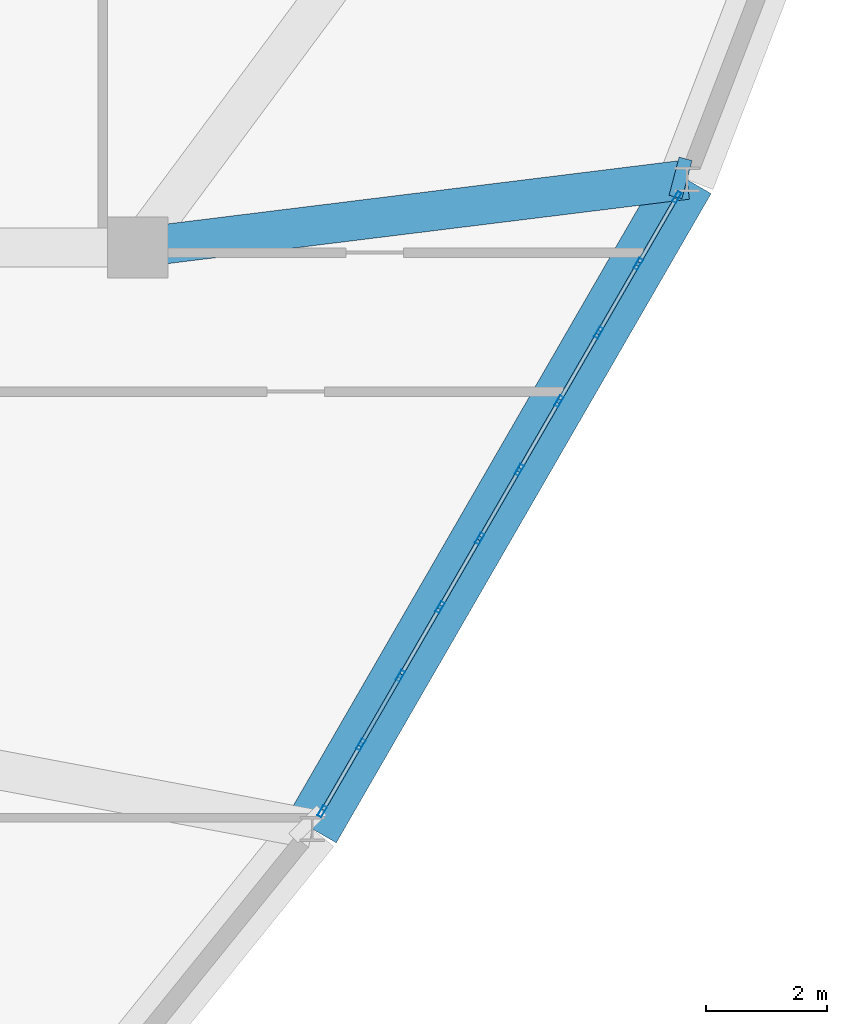
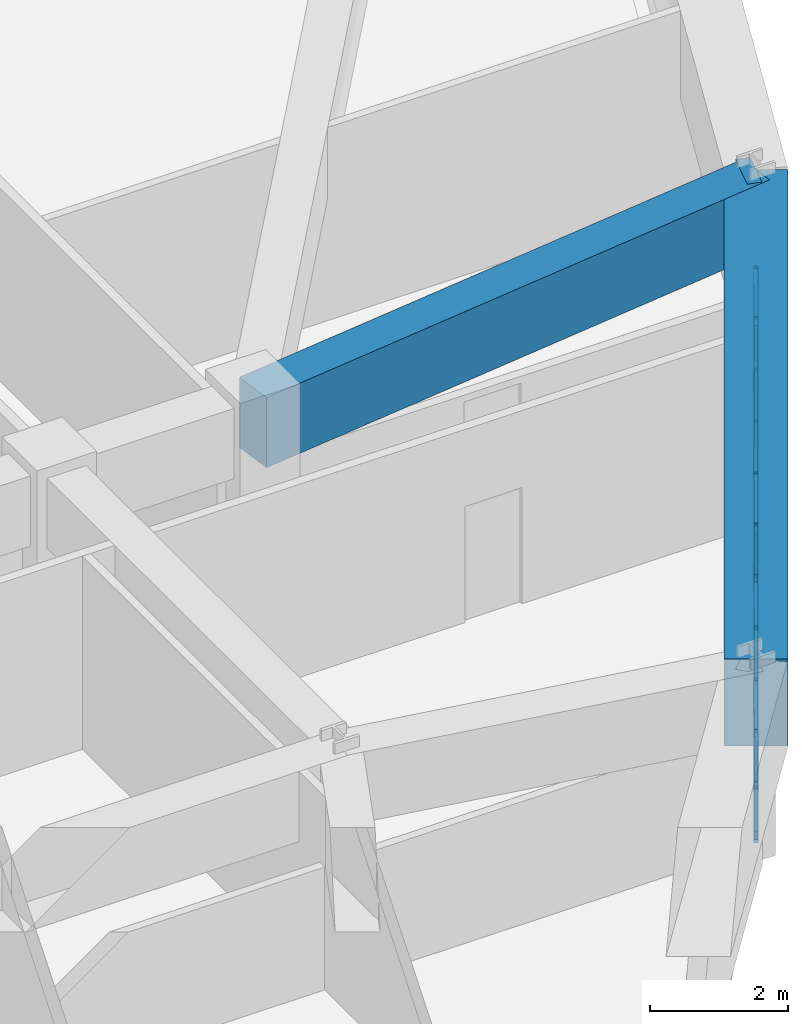
# One storey, part 6 of 16: 31 members, 3 beams, 1 element without a shape of its own.
"""IFC4 building model written with IfcOpenShell, lengths in metres."""

from ifc_helpers import new_model, si_unit, derived_unit, direction, frame, origin, origin_2d, place, context, subcontext, project, spatial, rectangle, hollow_rectangle, extrude, source, transform, mapped, material, layer, layer_set, material_profile, profile_set, type_object, element, aggregate, save


model = new_model("IFC4")

# Units and contexts
model_context = context("Model", 3, precision=1e-05, world=origin(), true_north=direction((0.0, 1.0)))
body_context = subcontext(model_context, "Body", "Model", "MODEL_VIEW")
ifc_project = project(units=[si_unit("LENGTHUNIT", "METRE"), si_unit("AREAUNIT", "SQUARE_METRE"), si_unit("VOLUMEUNIT", "CUBIC_METRE"), si_unit("PLANEANGLEUNIT", "RADIAN"), si_unit("MASSUNIT", "GRAM", prefix="KILO"), derived_unit("THERMALTRANSMITTANCEUNIT", [(si_unit("POWERUNIT", "WATT"), 1), (si_unit("LENGTHUNIT", "METRE"), -2), (si_unit("THERMODYNAMICTEMPERATUREUNIT", "KELVIN"), -1)])], contexts=[model_context])

# Site, building, storey
site_placement = place(None, origin())
site = spatial("IfcSite", under=ifc_project, at=site_placement, CompositionType="ELEMENT")
building_placement = place(site_placement, origin())
building = spatial("IfcBuilding", under=site, at=building_placement, Name="Korsvarv Bourse and Concert Hall", CompositionType="ELEMENT")
storey_placement = place(building_placement, frame((0.0, 0.0, 213.0)))
storey = spatial("IfcBuildingStorey", under=building, at=storey_placement, Name="L55", CompositionType="ELEMENT", Elevation=213.0)

# Beams
ifc_material_1 = material(Name="Concrete C50/60", Category="concrete")
ifc_material_profile_1 = material_profile(ifc_material_1, rectangle(XDim=0.919921875, YDim=1.530029296875, at=origin_2d()), Name="RC-BM 920x1530")
ifc_profile_set_1 = profile_set([ifc_material_profile_1], Name="Concrete C50/60")
beam_type_1 = type_object("IfcBeamType", Name="BM-TR-154", PredefinedType="BEAM", material=ifc_profile_set_1)
shared_shape_1 = source(origin(), body_context, "Body", "SweptSolid", [
    extrude(rectangle(XDim=0.919921875, YDim=1.530029296875, at=origin_2d()), origin(), (0.0, 0.0, 1.0), 12.353271484375),
])
beam_1_placement = place(storey_placement, frame((50.675048828125, 22.820068359375, 2.64501953125), z_axis=(0.500007577232, 0.866021029023, 0.0), x_axis=(-0.866021029023, 0.500007577232, 0.0)))
element("IfcBeam", 1, at=beam_1_placement, inside=storey, type_object=beam_type_1, Name="L55 beam B-TR6", PredefinedType="BEAM", context=body_context, shape_type="MappedRepresentation", body=[
    mapped(shared_shape_1, transform((0.0, 0.0, 0.0), scale=1.0)),
])
ifc_material_profile_2 = material_profile(ifc_material_1, rectangle(XDim=0.64990234375, YDim=1.239990234375, at=origin_2d()), Name="RC-BM 650x1240")
ifc_profile_set_2 = profile_set([ifc_material_profile_2], Name="Concrete C50/60")
beam_type_2 = type_object("IfcBeamType", Name="BM-TR-SPN", PredefinedType="BEAM", material=ifc_profile_set_2)
shared_shape_2 = source(origin(), body_context, "Body", "SweptSolid", [
    extrude(rectangle(XDim=0.64990234375, YDim=1.239990234375, at=origin_2d()), origin(), (0.0, 0.0, 1.0), 9.12060546875),
])
beam_2_placement = place(storey_placement, frame((56.851806640625, 33.518310546875, 2.7900390625), z_axis=(-0.992453132318, -0.122624549551, 0.0), x_axis=(0.122624549551, -0.992453132318, 0.0)))
element("IfcBeam", 2, at=beam_2_placement, inside=storey, type_object=beam_type_2, Name="L55 beam B-TRS", PredefinedType="BEAM", context=body_context, shape_type="MappedRepresentation", body=[
    mapped(shared_shape_2, transform((0.0, 0.0, 0.0), scale=1.0)),
])
shared_shape_3 = source(origin(), body_context, "Body", "SweptSolid", [
    extrude(rectangle(XDim=0.64990234375, YDim=1.239990234375, at=origin_2d()), origin(), (0.0, 0.0, 1.0), 0.2197265625),
])
beam_3_placement = place(storey_placement, frame((56.851806640625, 33.518310546875, 2.7900390625), z_axis=(-0.967060137226, 0.254548013132, 0.0), x_axis=(-0.254548013132, -0.967060137226, 0.0)))
element("IfcBeam", 3, at=beam_3_placement, inside=storey, type_object=beam_type_2, Name="L55 beam B-TRS", PredefinedType="BEAM", context=body_context, shape_type="MappedRepresentation", body=[
    mapped(shared_shape_3, transform((0.0, 0.0, 0.0), scale=1.0)),
])

# Curtain wall, members
ifc_material_2 = material(Name="Anodised aluminium and triple low-E glazing", Category="glass")
ifc_layer = layer(ifc_material_2, 0.199951171875)
ifc_layer_set = layer_set([ifc_layer], Name="Anodised aluminium and triple low-E glazing")
curtain_wall_type = type_object("IfcCurtainWallType", Name="CW-SYS-3", PredefinedType="NOTDEFINED", material=ifc_layer_set)
curtain_wall_placement = place(storey_placement, origin())
curtain_wall = element("IfcCurtainWall", 4, at=curtain_wall_placement, inside=storey, type_object=curtain_wall_type, Name="L55 CW3 curtain wall CW-L55-F11", PredefinedType="NOTDEFINED")
ifc_material_3 = material(Name="Extruded aluminium EN AW-6063 T66", Category="aluminium")
ifc_material_profile_3 = material_profile(ifc_material_3, hollow_rectangle(XDim=0.06494140625, YDim=0.139892578125, WallThickness=0.00390625, at=origin_2d()), Name="ALU-T 65x140")
ifc_profile_set_3 = profile_set([ifc_material_profile_3], Name="Extruded aluminium EN AW-6063 T66")
member_type_1 = type_object("IfcMemberType", Name="CWT-140", PredefinedType="USERDEFINED", material=ifc_profile_set_3)
shared_shape_4 = source(origin(), body_context, "Body", "SweptSolid", [
    extrude(hollow_rectangle(XDim=0.06494140625, YDim=0.139892578125, WallThickness=0.00390625, at=origin_2d()), origin(), (0.0, 0.0, 1.0), 1.201171875),
])
member_1_placement = place(storey_placement, frame((50.859130859375, 23.138671875, 0.032470703125), z_axis=(0.499986357472, 0.866033280158, 0.0), x_axis=(-0.866033280158, 0.499986357472, 0.0)))
member_1 = element("IfcMember", 5, at=member_1_placement, type_object=member_type_1, Name="CW3 transom 1.1", ObjectType="TRANSOM", PredefinedType="USERDEFINED", context=body_context, shape_type="MappedRepresentation", body=[
    mapped(shared_shape_4, transform((0.0, 0.0, 0.0), scale=1.0)),
])
member_2_placement = place(storey_placement, frame((50.859130859375, 23.138671875, 1.847412109375), z_axis=(0.499986357472, 0.866033280158, 0.0), x_axis=(-0.866033280158, 0.499986357472, 0.0)))
member_2 = element("IfcMember", 6, at=member_2_placement, type_object=member_type_1, Name="CW3 transom 1.2", ObjectType="TRANSOM", PredefinedType="USERDEFINED", context=body_context, shape_type="MappedRepresentation", body=[
    mapped(shared_shape_4, transform((0.0, 0.0, 0.0), scale=1.0)),
])
shared_shape_5 = source(origin(), body_context, "Body", "SweptSolid", [
    extrude(hollow_rectangle(XDim=0.06494140625, YDim=0.139892578125, WallThickness=0.00390625, at=origin_2d()), origin(), (0.0, 0.0, 1.0), 1.236328125),
])
member_3_placement = place(storey_placement, frame((51.494873046875, 24.23974609375, 0.032470703125), z_axis=(0.500047259291, 0.865998116901, 0.0), x_axis=(-0.865998116901, 0.500047259291, 0.0)))
member_3 = element("IfcMember", 7, at=member_3_placement, type_object=member_type_1, Name="CW3 transom 2.1", ObjectType="TRANSOM", PredefinedType="USERDEFINED", context=body_context, shape_type="MappedRepresentation", body=[
    mapped(shared_shape_5, transform((0.0, 0.0, 0.0), scale=1.0)),
])
member_4_placement = place(storey_placement, frame((51.494873046875, 24.23974609375, 1.847412109375), z_axis=(0.500047259291, 0.865998116901, 0.0), x_axis=(-0.865998116901, 0.500047259291, 0.0)))
member_4 = element("IfcMember", 8, at=member_4_placement, type_object=member_type_1, Name="CW3 transom 2.2", ObjectType="TRANSOM", PredefinedType="USERDEFINED", context=body_context, shape_type="MappedRepresentation", body=[
    mapped(shared_shape_5, transform((0.0, 0.0, 0.0), scale=1.0)),
])
member_5_placement = place(storey_placement, frame((52.14794921875, 25.37109375, 0.032470703125), z_axis=(0.49996174997, 0.866047486323, 0.0), x_axis=(-0.866047486323, 0.49996174997, 0.0)))
member_5 = element("IfcMember", 9, at=member_5_placement, type_object=member_type_1, Name="CW3 transom 3.1", ObjectType="TRANSOM", PredefinedType="USERDEFINED", context=body_context, shape_type="MappedRepresentation", body=[
    mapped(shared_shape_5, transform((0.0, 0.0, 0.0), scale=1.0)),
])
member_6_placement = place(storey_placement, frame((52.14794921875, 25.37109375, 1.847412109375), z_axis=(0.49996174997, 0.866047486323, 0.0), x_axis=(-0.866047486323, 0.49996174997, 0.0)))
member_6 = element("IfcMember", 10, at=member_6_placement, type_object=member_type_1, Name="CW3 transom 3.2", ObjectType="TRANSOM", PredefinedType="USERDEFINED", context=body_context, shape_type="MappedRepresentation", body=[
    mapped(shared_shape_5, transform((0.0, 0.0, 0.0), scale=1.0)),
])
member_7_placement = place(storey_placement, frame((52.80126953125, 26.50244140625, 0.032470703125), z_axis=(0.49996174997, 0.866047486323, 0.0), x_axis=(-0.866047486323, 0.49996174997, 0.0)))
member_7 = element("IfcMember", 11, at=member_7_placement, type_object=member_type_1, Name="CW3 transom 4.1", ObjectType="TRANSOM", PredefinedType="USERDEFINED", context=body_context, shape_type="MappedRepresentation", body=[
    mapped(shared_shape_5, transform((0.0, 0.0, 0.0), scale=1.0)),
])
member_8_placement = place(storey_placement, frame((52.80126953125, 26.50244140625, 1.847412109375), z_axis=(0.49996174997, 0.866047486323, 0.0), x_axis=(-0.866047486323, 0.49996174997, 0.0)))
member_8 = element("IfcMember", 12, at=member_8_placement, type_object=member_type_1, Name="CW3 transom 4.2", ObjectType="TRANSOM", PredefinedType="USERDEFINED", context=body_context, shape_type="MappedRepresentation", body=[
    mapped(shared_shape_5, transform((0.0, 0.0, 0.0), scale=1.0)),
])
member_9_placement = place(storey_placement, frame((53.454345703125, 27.6337890625, 0.032470703125), z_axis=(0.49996174997, 0.866047486323, 0.0), x_axis=(-0.866047486323, 0.49996174997, 0.0)))
member_9 = element("IfcMember", 13, at=member_9_placement, type_object=member_type_1, Name="CW3 transom 5.1", ObjectType="TRANSOM", PredefinedType="USERDEFINED", context=body_context, shape_type="MappedRepresentation", body=[
    mapped(shared_shape_5, transform((0.0, 0.0, 0.0), scale=1.0)),
])
member_10_placement = place(storey_placement, frame((53.454345703125, 27.6337890625, 1.847412109375), z_axis=(0.49996174997, 0.866047486323, 0.0), x_axis=(-0.866047486323, 0.49996174997, 0.0)))
member_10 = element("IfcMember", 14, at=member_10_placement, type_object=member_type_1, Name="CW3 transom 5.2", ObjectType="TRANSOM", PredefinedType="USERDEFINED", context=body_context, shape_type="MappedRepresentation", body=[
    mapped(shared_shape_5, transform((0.0, 0.0, 0.0), scale=1.0)),
])
member_11_placement = place(storey_placement, frame((54.107666015625, 28.76513671875, 0.032470703125), z_axis=(0.49996174997, 0.866047486323, 0.0), x_axis=(-0.866047486323, 0.49996174997, 0.0)))
member_11 = element("IfcMember", 15, at=member_11_placement, type_object=member_type_1, Name="CW3 transom 6.1", ObjectType="TRANSOM", PredefinedType="USERDEFINED", context=body_context, shape_type="MappedRepresentation", body=[
    mapped(shared_shape_5, transform((0.0, 0.0, 0.0), scale=1.0)),
])
member_12_placement = place(storey_placement, frame((54.107666015625, 28.76513671875, 1.847412109375), z_axis=(0.49996174997, 0.866047486323, 0.0), x_axis=(-0.866047486323, 0.49996174997, 0.0)))
member_12 = element("IfcMember", 16, at=member_12_placement, type_object=member_type_1, Name="CW3 transom 6.2", ObjectType="TRANSOM", PredefinedType="USERDEFINED", context=body_context, shape_type="MappedRepresentation", body=[
    mapped(shared_shape_5, transform((0.0, 0.0, 0.0), scale=1.0)),
])
member_13_placement = place(storey_placement, frame((54.7607421875, 29.896484375, 0.032470703125), z_axis=(0.49996174997, 0.866047486323, 0.0), x_axis=(-0.866047486323, 0.49996174997, 0.0)))
member_13 = element("IfcMember", 17, at=member_13_placement, type_object=member_type_1, Name="CW3 transom 7.1", ObjectType="TRANSOM", PredefinedType="USERDEFINED", context=body_context, shape_type="MappedRepresentation", body=[
    mapped(shared_shape_5, transform((0.0, 0.0, 0.0), scale=1.0)),
])
member_14_placement = place(storey_placement, frame((54.7607421875, 29.896484375, 1.847412109375), z_axis=(0.49996174997, 0.866047486323, 0.0), x_axis=(-0.866047486323, 0.49996174997, 0.0)))
member_14 = element("IfcMember", 18, at=member_14_placement, type_object=member_type_1, Name="CW3 transom 7.2", ObjectType="TRANSOM", PredefinedType="USERDEFINED", context=body_context, shape_type="MappedRepresentation", body=[
    mapped(shared_shape_5, transform((0.0, 0.0, 0.0), scale=1.0)),
])
ifc_material_profile_4 = material_profile(ifc_material_3, hollow_rectangle(XDim=0.070068359375, YDim=0.18994140625, WallThickness=0.0048828125, at=origin_2d()), Name="ALU-M 70x190")
ifc_profile_set_4 = profile_set([ifc_material_profile_4], Name="Extruded aluminium EN AW-6063 T66")
member_type_2 = type_object("IfcMemberType", Name="CWM-190", PredefinedType="MULLION", material=ifc_profile_set_4)
shared_shape_6 = source(origin(), body_context, "Body", "SweptSolid", [
    extrude(hollow_rectangle(XDim=0.070068359375, YDim=0.18994140625, WallThickness=0.0048828125, at=origin_2d()), origin(), (0.0, 0.0, 1.0), 1.8798828125),
])
member_15_placement = place(storey_placement, frame((50.841552734375, 23.1083984375, 0.0), z_axis=(0.0, 0.0, 1.0), x_axis=(-0.86602737949, 0.499996577961, 0.0)))
member_15 = element("IfcMember", 19, at=member_15_placement, type_object=member_type_2, Name="CW3 mullion 1", PredefinedType="MULLION", context=body_context, shape_type="MappedRepresentation", body=[
    mapped(shared_shape_6, transform((0.0, 0.0, 0.0), scale=1.0)),
])
member_16_placement = place(storey_placement, frame((51.477294921875, 24.20947265625, 0.0), z_axis=(0.0, 0.0, 1.0), x_axis=(-0.86602737949, 0.499996577961, 0.0)))
member_16 = element("IfcMember", 20, at=member_16_placement, type_object=member_type_2, Name="CW3 mullion 2", PredefinedType="MULLION", context=body_context, shape_type="MappedRepresentation", body=[
    mapped(shared_shape_6, transform((0.0, 0.0, 0.0), scale=1.0)),
])
member_17_placement = place(storey_placement, frame((52.13037109375, 25.3408203125, 0.0), z_axis=(0.0, 0.0, 1.0), x_axis=(-0.86602737949, 0.499996577961, 0.0)))
member_17 = element("IfcMember", 21, at=member_17_placement, type_object=member_type_2, Name="CW3 mullion 3", PredefinedType="MULLION", context=body_context, shape_type="MappedRepresentation", body=[
    mapped(shared_shape_6, transform((0.0, 0.0, 0.0), scale=1.0)),
])
member_18_placement = place(storey_placement, frame((52.78369140625, 26.47216796875, 0.0), z_axis=(0.0, 0.0, 1.0), x_axis=(-0.86602737949, 0.499996577961, 0.0)))
member_18 = element("IfcMember", 22, at=member_18_placement, type_object=member_type_2, Name="CW3 mullion 4", PredefinedType="MULLION", context=body_context, shape_type="MappedRepresentation", body=[
    mapped(shared_shape_6, transform((0.0, 0.0, 0.0), scale=1.0)),
])
member_19_placement = place(storey_placement, frame((53.436767578125, 27.603515625, 0.0), z_axis=(0.0, 0.0, 1.0), x_axis=(-0.86602737949, 0.499996577961, 0.0)))
member_19 = element("IfcMember", 23, at=member_19_placement, type_object=member_type_2, Name="CW3 mullion 5", PredefinedType="MULLION", context=body_context, shape_type="MappedRepresentation", body=[
    mapped(shared_shape_6, transform((0.0, 0.0, 0.0), scale=1.0)),
])
member_20_placement = place(storey_placement, frame((54.090087890625, 28.73486328125, 0.0), z_axis=(0.0, 0.0, 1.0), x_axis=(-0.86602737949, 0.499996577961, 0.0)))
member_20 = element("IfcMember", 24, at=member_20_placement, type_object=member_type_2, Name="CW3 mullion 6", PredefinedType="MULLION", context=body_context, shape_type="MappedRepresentation", body=[
    mapped(shared_shape_6, transform((0.0, 0.0, 0.0), scale=1.0)),
])
member_21_placement = place(storey_placement, frame((54.7431640625, 29.8662109375, 0.0), z_axis=(0.0, 0.0, 1.0), x_axis=(-0.86602737949, 0.499996577961, 0.0)))
member_21 = element("IfcMember", 25, at=member_21_placement, type_object=member_type_2, Name="CW3 mullion 7", PredefinedType="MULLION", context=body_context, shape_type="MappedRepresentation", body=[
    mapped(shared_shape_6, transform((0.0, 0.0, 0.0), scale=1.0)),
])
member_22_placement = place(storey_placement, frame((55.396484375, 30.99755859375, 0.0), z_axis=(0.0, 0.0, 1.0), x_axis=(-0.86602737949, 0.499996577961, 0.0)))
member_22 = element("IfcMember", 26, at=member_22_placement, type_object=member_type_2, Name="CW3 mullion 8", PredefinedType="MULLION", context=body_context, shape_type="MappedRepresentation", body=[
    mapped(shared_shape_6, transform((0.0, 0.0, 0.0), scale=1.0)),
])
member_23_placement = place(storey_placement, frame((56.049560546875, 32.12890625, 0.0), z_axis=(0.0, 0.0, 1.0), x_axis=(-0.86602737949, 0.499996577961, 0.0)))
member_23 = element("IfcMember", 27, at=member_23_placement, type_object=member_type_2, Name="CW3 mullion 9", PredefinedType="MULLION", context=body_context, shape_type="MappedRepresentation", body=[
    mapped(shared_shape_6, transform((0.0, 0.0, 0.0), scale=1.0)),
])
member_24_placement = place(storey_placement, frame((56.685302734375, 33.22998046875, 0.0), z_axis=(0.0, 0.0, 1.0), x_axis=(-0.86602737949, 0.499996577961, 0.0)))
member_24 = element("IfcMember", 28, at=member_24_placement, type_object=member_type_2, Name="CW3 mullion 10", PredefinedType="MULLION", context=body_context, shape_type="MappedRepresentation", body=[
    mapped(shared_shape_6, transform((0.0, 0.0, 0.0), scale=1.0)),
])
ifc_material_profile_5 = material_profile(ifc_material_3, hollow_rectangle(XDim=0.06494140625, YDim=0.1650390625, WallThickness=0.0048828125, at=origin_2d()), Name="ALU-M 65x165")
ifc_profile_set_5 = profile_set([ifc_material_profile_5], Name="Extruded aluminium EN AW-6063 T66")
member_type_3 = type_object("IfcMemberType", Name="CWM-165", PredefinedType="MULLION", material=ifc_profile_set_5)
shared_shape_7 = source(origin(), body_context, "Body", "SweptSolid", [
    extrude(hollow_rectangle(XDim=0.06494140625, YDim=0.1650390625, WallThickness=0.0048828125, at=origin_2d()), origin(), (0.0, 0.0, 1.0), 2.142578125),
])
member_25_placement = place(storey_placement, frame((51.494873046875, 24.23974609375, 0.06494140625), z_axis=(0.28851170016, 0.499653951501, 0.816766140104), x_axis=(-0.865998116901, 0.500047259291, 0.0)))
member_25 = element("IfcMember", 29, at=member_25_placement, type_object=member_type_3, Name="CW3 diagonal mullion 2", PredefinedType="MULLION", context=body_context, shape_type="MappedRepresentation", body=[
    mapped(shared_shape_7, transform((0.0, 0.0, 0.0), scale=1.0)),
])
shared_shape_8 = source(origin(), body_context, "Body", "SweptSolid", [
    extrude(hollow_rectangle(XDim=0.06494140625, YDim=0.1650390625, WallThickness=0.0048828125, at=origin_2d()), origin(), (0.0, 0.0, 1.0), 2.142822265625),
])
member_26_placement = place(storey_placement, frame((54.072509765625, 28.70458984375, 0.06494140625), z_axis=(-0.288495273664, -0.499739443243, 0.816719637293), x_axis=(0.866047486323, -0.49996174997, 0.0)))
member_26 = element("IfcMember", 30, at=member_26_placement, type_object=member_type_3, Name="CW3 diagonal mullion 5", PredefinedType="MULLION", context=body_context, shape_type="MappedRepresentation", body=[
    mapped(shared_shape_8, transform((0.0, 0.0, 0.0), scale=1.0)),
])
member_27_placement = place(storey_placement, frame((55.413818359375, 31.02783203125, 0.06494140625), z_axis=(0.28859972505, 0.499723013845, 0.816692786876), x_axis=(-0.865961984968, 0.500109828528, 0.0)))
member_27 = element("IfcMember", 31, at=member_27_placement, type_object=member_type_3, Name="CW3 diagonal mullion 8", PredefinedType="MULLION", context=body_context, shape_type="MappedRepresentation", body=[
    mapped(shared_shape_8, transform((0.0, 0.0, 0.0), scale=1.0)),
])
shared_shape_9 = source(origin(), body_context, "Body", "SweptSolid", [
    extrude(hollow_rectangle(XDim=0.06494140625, YDim=0.139892578125, WallThickness=0.00390625, at=origin_2d()), origin(), (0.0, 0.0, 1.0), 1.236572265625),
])
member_28_placement = place(storey_placement, frame((55.413818359375, 31.02783203125, 0.032470703125), z_axis=(0.500109828528, 0.865961984968, 0.0), x_axis=(-0.865961984968, 0.500109828528, 0.0)))
member_28 = element("IfcMember", 32, at=member_28_placement, type_object=member_type_1, Name="CW3 transom 8.1", ObjectType="TRANSOM", PredefinedType="USERDEFINED", context=body_context, shape_type="MappedRepresentation", body=[
    mapped(shared_shape_9, transform((0.0, 0.0, 0.0), scale=1.0)),
])
member_29_placement = place(storey_placement, frame((55.413818359375, 31.02783203125, 1.847412109375), z_axis=(0.500109828528, 0.865961984968, 0.0), x_axis=(-0.865961984968, 0.500109828528, 0.0)))
member_29 = element("IfcMember", 33, at=member_29_placement, type_object=member_type_1, Name="CW3 transom 8.2", ObjectType="TRANSOM", PredefinedType="USERDEFINED", context=body_context, shape_type="MappedRepresentation", body=[
    mapped(shared_shape_9, transform((0.0, 0.0, 0.0), scale=1.0)),
])
shared_shape_10 = source(origin(), body_context, "Body", "SweptSolid", [
    extrude(hollow_rectangle(XDim=0.06494140625, YDim=0.139892578125, WallThickness=0.00390625, at=origin_2d()), origin(), (0.0, 0.0, 1.0), 1.201416015625),
])
member_30_placement = place(storey_placement, frame((56.067138671875, 32.1591796875, 0.032470703125), z_axis=(0.499898363671, 0.866084075595, 0.0), x_axis=(-0.866084075595, 0.499898363671, 0.0)))
member_30 = element("IfcMember", 34, at=member_30_placement, type_object=member_type_1, Name="CW3 transom 9.1", ObjectType="TRANSOM", PredefinedType="USERDEFINED", context=body_context, shape_type="MappedRepresentation", body=[
    mapped(shared_shape_10, transform((0.0, 0.0, 0.0), scale=1.0)),
])
member_31_placement = place(storey_placement, frame((56.067138671875, 32.1591796875, 1.847412109375), z_axis=(0.499898363671, 0.866084075595, 0.0), x_axis=(-0.866084075595, 0.499898363671, 0.0)))
member_31 = element("IfcMember", 35, at=member_31_placement, type_object=member_type_1, Name="CW3 transom 9.2", ObjectType="TRANSOM", PredefinedType="USERDEFINED", context=body_context, shape_type="MappedRepresentation", body=[
    mapped(shared_shape_10, transform((0.0, 0.0, 0.0), scale=1.0)),
])
aggregate(curtain_wall, [member_15, member_16, member_17, member_18, member_19, member_20, member_21, member_22, member_23, member_24, member_1, member_2, member_3, member_4, member_25, member_5, member_6, member_7, member_8, member_9, member_10, member_26, member_11, member_12, member_13, member_14, member_28, member_29, member_27, member_30, member_31])

save(model, "model.ifc")
